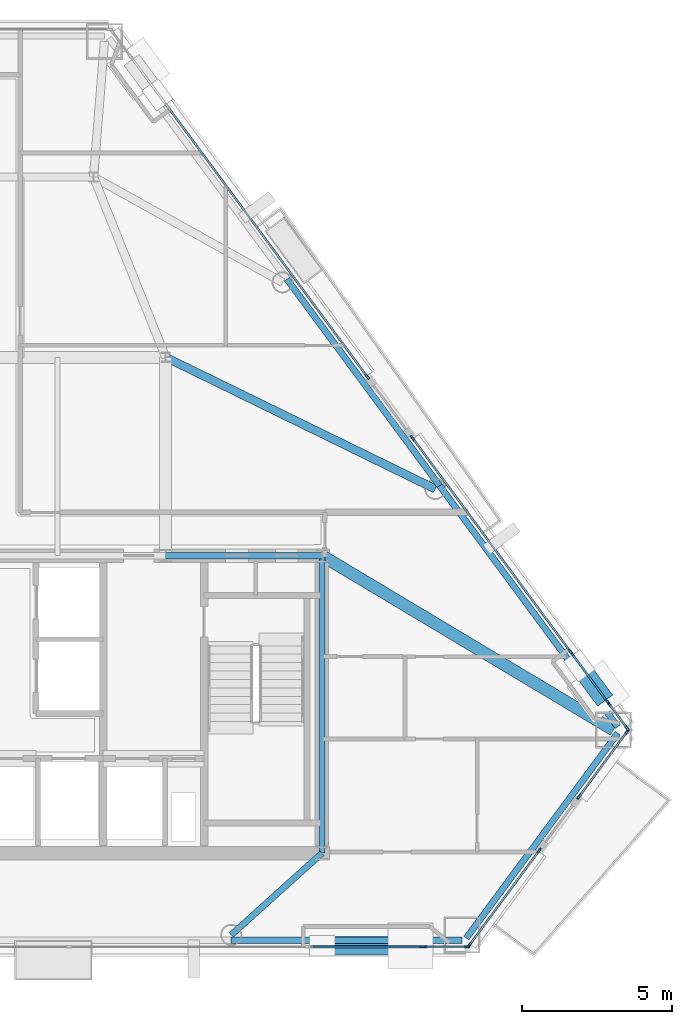
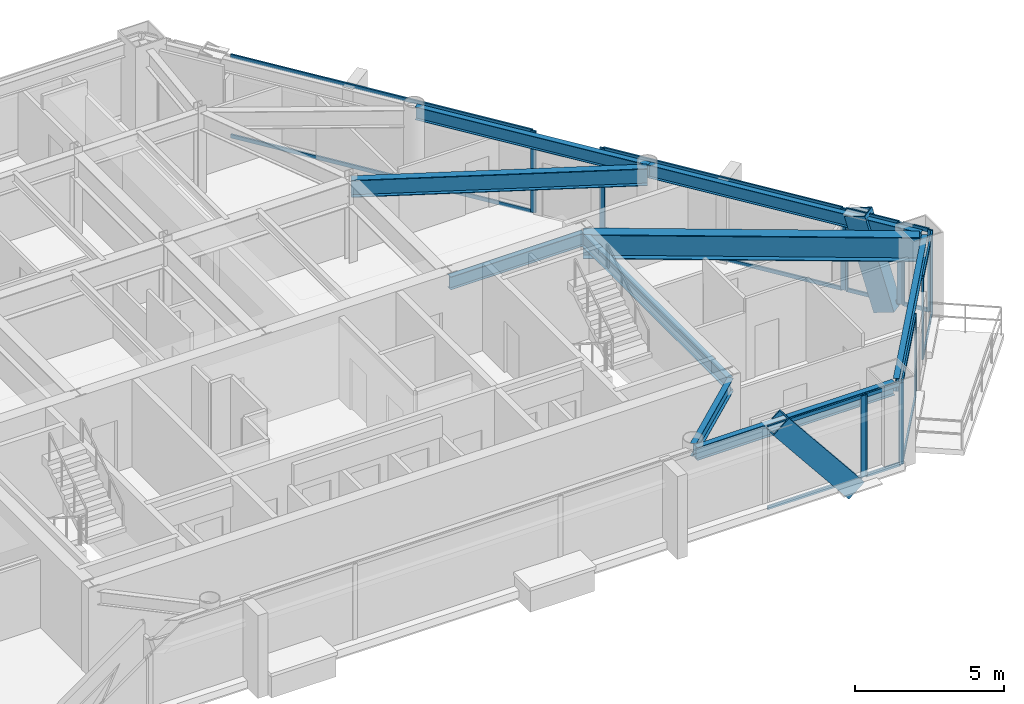
# One storey, part 6 of 13: 32 members, 9 beams, 8 elements without a shape of their own.
"""IFC4 building model written with IfcOpenShell, lengths in metres."""

from ifc_helpers import new_model, si_unit, direction, frame, origin, origin_2d, place, context, subcontext, project, spatial, rectangle, hollow_rectangle, i_section, extrude, material, layer, layer_set, material_profile, profile_set, type_object, element, aggregate, save


model = new_model("IFC4")

# Units and contexts
model_context = context("Model", 3, precision=1e-05, world=origin(), true_north=direction((0.0, 1.0)))
body_context = subcontext(model_context, "Body", "Model", "MODEL_VIEW")
ifc_project = project(units=[si_unit("LENGTHUNIT", "METRE"), si_unit("AREAUNIT", "SQUARE_METRE"), si_unit("VOLUMEUNIT", "CUBIC_METRE"), si_unit("PLANEANGLEUNIT", "RADIAN"), si_unit("MASSUNIT", "GRAM", prefix="KILO")], contexts=[model_context])

# Site, building, storey
site_placement = place(None, origin())
site = spatial("IfcSite", under=ifc_project, at=site_placement, CompositionType="ELEMENT")
building_placement = place(site_placement, origin())
building = spatial("IfcBuilding", under=site, at=building_placement, Name="Talgorran Terracotta Tower", CompositionType="ELEMENT")
storey_placement = place(building_placement, frame((0.0, 0.0, 132.89990234375)))
storey = spatial("IfcBuildingStorey", under=building, at=storey_placement, Name="L34", CompositionType="ELEMENT", Elevation=132.89990234375)

# Beams
ifc_material_1 = material(Name="Steel Grade 350 (350L0)", Category="steel")
ifc_material_profile_1 = material_profile(ifc_material_1, i_section(OverallWidth=0.39990234375, OverallDepth=1.0, WebThickness=0.01611328125, FlangeThickness=0.031005859375, at=origin_2d()), Name="1000WB296")
ifc_profile_set_1 = profile_set([ifc_material_profile_1], Name="Steel Grade 350 (350L0)")
beam_type_1 = type_object("IfcBeamType", Name="BM_1000WB296", PredefinedType="BEAM", material=ifc_profile_set_1)
beam_1_placement = place(storey_placement, frame((12.39990234375, -4.199951171875, 2.85009765625), z_axis=(0.858174722871, -0.513357716436, 0.0), x_axis=(0.513357716436, 0.858174722871, 0.0)))
element("IfcBeam", 1, at=beam_1_placement, inside=storey, type_object=beam_type_1, Name="L34 Floor Girder G18", PredefinedType="BEAM", context=body_context, shape_type="SweptSolid", body=[
    extrude(i_section(OverallWidth=0.39990234375, OverallDepth=1.0, WebThickness=0.01611328125, FlangeThickness=0.031005859375, at=origin_2d()), origin(), (0.0, 0.0, 1.0), 11.298828125),
])
ifc_material_2 = material(Name="Steel S355 (300PLUS)", Category="steel")
ifc_material_profile_2 = material_profile(ifc_material_2, i_section(OverallWidth=0.27490234375, OverallDepth=0.7080078125, WebThickness=0.011962890625, FlangeThickness=0.02490234375, at=origin_2d()), Name="700WB173")
ifc_profile_set_2 = profile_set([ifc_material_profile_2], Name="Steel S355 (300PLUS)")
beam_type_2 = type_object("IfcBeamType", Name="BM_700WB173", PredefinedType="BEAM", material=ifc_profile_set_2)
beam_2_placement = place(storey_placement, frame((7.199951171875, 2.39990234375, 2.99609375), z_axis=(0.898565721625, -0.438838972655, 0.0), x_axis=(0.438838972655, 0.898565721625, 0.0)))
element("IfcBeam", 2, at=beam_2_placement, inside=storey, type_object=beam_type_2, Name="L34 Floor Girder G07", PredefinedType="BEAM", context=body_context, shape_type="SweptSolid", body=[
    extrude(i_section(OverallWidth=0.27490234375, OverallDepth=0.7080078125, WebThickness=0.011962890625, FlangeThickness=0.02490234375, at=origin_2d()), origin(), (0.0, 0.0, 1.0), 9.981689453125),
])
ifc_material_profile_3 = material_profile(ifc_material_2, i_section(OverallWidth=0.209228515625, OverallDepth=0.532958984375, WebThickness=0.01025390625, FlangeThickness=0.015625, at=origin_2d()), Name="530UB92.4")
ifc_profile_set_3 = profile_set([ifc_material_profile_3], Name="Steel S355 (300PLUS)")
beam_type_3 = type_object("IfcBeamType", Name="BM_SP_530UB92", PredefinedType="SPANDREL", material=ifc_profile_set_3)
beam_3_placement = place(storey_placement, frame((9.381103515625, -16.998779296875, 3.08349609375), z_axis=(1.0, 0.0, 0.0), x_axis=(0.0, 1.0, 0.0)))
element("IfcBeam", 3, at=beam_3_placement, inside=storey, type_object=beam_type_3, Name="L34 Perimeter Spandrel Beam FC2-MC3", PredefinedType="SPANDREL", context=body_context, shape_type="SweptSolid", body=[
    extrude(i_section(OverallWidth=0.209228515625, OverallDepth=0.532958984375, WebThickness=0.01025390625, FlangeThickness=0.015625, at=origin_2d()), origin(), (0.0, 0.0, 1.0), 7.67578125),
])
beam_4_placement = place(storey_placement, frame((17.20166015625, -16.92578125, 3.08349609375), z_axis=(0.594369201234, 0.804192298288, 0.0), x_axis=(-0.804192298288, 0.594369201234, 0.0)))
element("IfcBeam", 4, at=beam_4_placement, inside=storey, type_object=beam_type_3, Name="L34 Perimeter Spandrel Beam MC3-MC4", PredefinedType="SPANDREL", context=body_context, shape_type="SweptSolid", body=[
    extrude(i_section(OverallWidth=0.209228515625, OverallDepth=0.532958984375, WebThickness=0.01025390625, FlangeThickness=0.015625, at=origin_2d()), origin(), (0.0, 0.0, 1.0), 8.478759765625),
])
beam_5_placement = place(storey_placement, frame((22.2412109375, -9.893310546875, 3.08349609375), z_axis=(-0.594352513119, 0.804204632011, 0.0), x_axis=(-0.804204632011, -0.594352513119, 0.0)))
element("IfcBeam", 5, at=beam_5_placement, inside=storey, type_object=beam_type_3, Name="L34 Perimeter Spandrel Beam MC4-FC3", PredefinedType="SPANDREL", context=body_context, shape_type="SweptSolid", body=[
    extrude(i_section(OverallWidth=0.209228515625, OverallDepth=0.532958984375, WebThickness=0.01025390625, FlangeThickness=0.015625, at=origin_2d()), origin(), (0.0, 0.0, 1.0), 9.97265625),
])
beam_6_placement = place(storey_placement, frame((16.31396484375, -1.873291015625, 3.08349609375), z_axis=(-0.594373393058, 0.804189200142, 0.0), x_axis=(-0.804189200142, -0.594373393058, 0.0)))
element("IfcBeam", 6, at=beam_6_placement, inside=storey, type_object=beam_type_3, Name="L34 Perimeter Spandrel Beam FC3-FC4", PredefinedType="SPANDREL", context=body_context, shape_type="SweptSolid", body=[
    extrude(i_section(OverallWidth=0.209228515625, OverallDepth=0.532958984375, WebThickness=0.01025390625, FlangeThickness=0.015625, at=origin_2d()), origin(), (0.0, 0.0, 1.0), 8.5478515625),
])
beam_7_placement = place(storey_placement, frame((12.39990234375, -14.10009765625, 3.08349609375), z_axis=(-0.74306999476, -0.669213704945, 0.0), x_axis=(0.669213704945, -0.74306999476, 0.0)))
element("IfcBeam", 7, at=beam_7_placement, inside=storey, type_object=beam_type_3, Name="L34 South-East Core Tie Beam", PredefinedType="SPANDREL", context=body_context, shape_type="SweptSolid", body=[
    extrude(i_section(OverallWidth=0.209228515625, OverallDepth=0.532958984375, WebThickness=0.01025390625, FlangeThickness=0.015625, at=origin_2d()), origin(), (0.0, 0.0, 1.0), 4.0625),
])
beam_8_placement = place(storey_placement, frame((12.39990234375, -14.10009765625, 3.08349609375), z_axis=(0.0, 1.0, 0.0), x_axis=(-1.0, 0.0, 0.0)))
element("IfcBeam", 8, at=beam_8_placement, inside=storey, type_object=beam_type_3, Name="L34 Core Frame Beam CFE", PredefinedType="SPANDREL", context=body_context, shape_type="SweptSolid", body=[
    extrude(i_section(OverallWidth=0.209228515625, OverallDepth=0.532958984375, WebThickness=0.01025390625, FlangeThickness=0.015625, at=origin_2d()), origin(), (0.0, 0.0, 1.0), 9.900146484375),
])
beam_9_placement = place(storey_placement, frame((7.199951171875, -4.199951171875, 3.08349609375), z_axis=(1.0, 0.0, 0.0), x_axis=(0.0, 1.0, 0.0)))
element("IfcBeam", 9, at=beam_9_placement, inside=storey, type_object=beam_type_3, Name="L34 Core Frame Beam CFN4", PredefinedType="SPANDREL", context=body_context, shape_type="SweptSolid", body=[
    extrude(i_section(OverallWidth=0.209228515625, OverallDepth=0.532958984375, WebThickness=0.01025390625, FlangeThickness=0.015625, at=origin_2d()), origin(), (0.0, 0.0, 1.0), 5.199951171875),
])

# Members
ifc_material_profile_4 = material_profile(ifc_material_1, hollow_rectangle(XDim=0.6201171875, YDim=0.780029296875, WallThickness=0.0419921875, at=origin_2d()), Name="WBOX780X620X42")
ifc_profile_set_4 = profile_set([ifc_material_profile_4], Name="Steel Grade 350 (350L0)")
member_type_1 = type_object("IfcMemberType", Name="MB_MEGA_780", PredefinedType="BRACE", material=ifc_profile_set_4)
member_1_placement = place(storey_placement, frame((15.34228515625, -17.178955078125, -0.27001953125), z_axis=(-0.626602917494, 0.0, 0.779338683621), x_axis=(0.0, -1.0, 0.0)))
element("IfcMember", 10, at=member_1_placement, inside=storey, type_object=member_type_1, Name="L34 Exterior Face Mega-Brace MB-2 (SEF)", PredefinedType="BRACE", context=body_context, shape_type="SweptSolid", body=[
    extrude(hollow_rectangle(XDim=0.6201171875, YDim=0.780029296875, WallThickness=0.0419921875, at=origin_2d()), origin(), (0.0, 0.0, 1.0), 4.677001953125),
])
member_2_placement = place(storey_placement, frame((21.597900390625, -8.72021484375, -0.27001953125), z_axis=(-0.167533039837, 0.226719050459, 0.959443147207), x_axis=(-0.804247199426, -0.594294911821, 0.0)))
element("IfcMember", 11, at=member_2_placement, inside=storey, type_object=member_type_1, Name="L34 Exterior Face Mega-Brace MB-2 (NEL)", PredefinedType="BRACE", context=body_context, shape_type="SweptSolid", body=[
    extrude(hollow_rectangle(XDim=0.6201171875, YDim=0.780029296875, WallThickness=0.0419921875, at=origin_2d()), origin(), (0.0, 0.0, 1.0), 3.799072265625),
])

# Curtain wall, member
ifc_material_3 = material(Name="Unitised Low-E Double Glazing", Category="glass")
ifc_layer = layer(ifc_material_3, 0.199951171875, Name="CW_SYS2_RES_LOW")
ifc_layer_set = layer_set([ifc_layer], Name="Unitised Low-E Double Glazing")
curtain_wall_type = type_object("IfcCurtainWallType", Name="CW_SYS2_RES_LOW", PredefinedType="NOTDEFINED", material=ifc_layer_set)
curtain_wall_1_placement = place(storey_placement, origin())
curtain_wall_1 = element("IfcCurtainWall", 12, at=curtain_wall_1_placement, inside=storey, type_object=curtain_wall_type, Name="CW-L34-F1D", PredefinedType="NOTDEFINED")
ifc_material_4 = material(Name="Architectural Aluminium 6063-T6", Category="aluminium")
ifc_material_profile_5 = material_profile(ifc_material_4, rectangle(XDim=0.06494140625, YDim=0.18505859375, at=origin_2d()), Name="CWM65X185")
ifc_profile_set_5 = profile_set([ifc_material_profile_5], Name="Architectural Aluminium 6063-T6")
member_type_2 = type_object("IfcMemberType", Name="MUL_65X185", PredefinedType="MULLION", material=ifc_profile_set_5)
member_3_placement = place(storey_placement, frame((15.738037109375, -17.218994140625, 0.0), z_axis=(0.0, 0.0, 1.0), x_axis=(0.0, 1.0, 0.0)))
member_3 = element("IfcMember", 13, at=member_3_placement, type_object=member_type_2, Name="CW-L34-1D mullion 2", PredefinedType="MULLION", context=body_context, shape_type="SweptSolid", body=[
    extrude(rectangle(XDim=0.06494140625, YDim=0.18505859375, at=origin_2d()), origin(), (0.0, 0.0, 1.0), 3.35009765625),
])

# Curtain wall, members
curtain_wall_2_placement = place(storey_placement, origin())
curtain_wall_2 = element("IfcCurtainWall", 14, at=curtain_wall_2_placement, inside=storey, type_object=curtain_wall_type, Name="CW-L34-F1E", PredefinedType="NOTDEFINED")
member_4_placement = place(storey_placement, frame((15.81298828125, -17.218994140625, 0.0), z_axis=(0.0, 0.0, 1.0), x_axis=(0.0, 1.0, 0.0)))
member_4 = element("IfcMember", 15, at=member_4_placement, type_object=member_type_2, Name="CW-L34-1E mullion 1", PredefinedType="MULLION", context=body_context, shape_type="SweptSolid", body=[
    extrude(rectangle(XDim=0.06494140625, YDim=0.18505859375, at=origin_2d()), origin(), (0.0, 0.0, 1.0), 3.35009765625),
])
member_5_placement = place(storey_placement, frame((17.22607421875, -17.218994140625, 0.0), z_axis=(0.0, 0.0, 1.0), x_axis=(0.0, 1.0, 0.0)))
member_5 = element("IfcMember", 16, at=member_5_placement, type_object=member_type_2, Name="CW-L34-1E mullion 2", PredefinedType="MULLION", context=body_context, shape_type="SweptSolid", body=[
    extrude(rectangle(XDim=0.06494140625, YDim=0.18505859375, at=origin_2d()), origin(), (0.0, 0.0, 1.0), 3.35009765625),
])

curtain_wall_3_placement = place(storey_placement, origin())
curtain_wall_3 = element("IfcCurtainWall", 17, at=curtain_wall_3_placement, inside=storey, type_object=curtain_wall_type, Name="CW-L34-F30", PredefinedType="NOTDEFINED")
member_6_placement = place(storey_placement, frame((17.3017578125, -17.16064453125, 0.0), z_axis=(0.0, 0.0, 1.0), x_axis=(-0.804205389706, 0.594351487898, 0.0)))
member_6 = element("IfcMember", 18, at=member_6_placement, type_object=member_type_2, Name="CW-L34-30 mullion 1", PredefinedType="MULLION", context=body_context, shape_type="SweptSolid", body=[
    extrude(rectangle(XDim=0.06494140625, YDim=0.18505859375, at=origin_2d()), origin(), (0.0, 0.0, 1.0), 3.35009765625),
])
member_7_placement = place(storey_placement, frame((19.6279296875, -14.012939453125, 0.0), z_axis=(0.0, 0.0, 1.0), x_axis=(-0.804205389706, 0.594351487898, 0.0)))
member_7 = element("IfcMember", 19, at=member_7_placement, type_object=member_type_2, Name="CW-L34-30 mullion 2", PredefinedType="MULLION", context=body_context, shape_type="SweptSolid", body=[
    extrude(rectangle(XDim=0.06494140625, YDim=0.18505859375, at=origin_2d()), origin(), (0.0, 0.0, 1.0), 3.35009765625),
])

curtain_wall_4_placement = place(storey_placement, origin())
curtain_wall_4 = element("IfcCurtainWall", 20, at=curtain_wall_4_placement, inside=storey, type_object=curtain_wall_type, Name="CW-L34-F31", PredefinedType="NOTDEFINED")
member_8_placement = place(storey_placement, frame((20.950439453125, -12.2236328125, 0.0), z_axis=(0.0, 0.0, 1.0), x_axis=(-0.804188955086, 0.59437372462, 0.0)))
member_8 = element("IfcMember", 21, at=member_8_placement, type_object=member_type_2, Name="CW-L34-31 mullion 1", PredefinedType="MULLION", context=body_context, shape_type="SweptSolid", body=[
    extrude(rectangle(XDim=0.06494140625, YDim=0.18505859375, at=origin_2d()), origin(), (0.0, 0.0, 1.0), 3.35009765625),
])
member_9_placement = place(storey_placement, frame((22.550537109375, -10.05859375, 0.0), z_axis=(0.0, 0.0, 1.0), x_axis=(-0.804188955086, 0.59437372462, 0.0)))
member_9 = element("IfcMember", 22, at=member_9_placement, type_object=member_type_2, Name="CW-L34-31 mullion 2", PredefinedType="MULLION", context=body_context, shape_type="SweptSolid", body=[
    extrude(rectangle(XDim=0.06494140625, YDim=0.18505859375, at=origin_2d()), origin(), (0.0, 0.0, 1.0), 3.35009765625),
])

curtain_wall_5_placement = place(storey_placement, origin())
curtain_wall_5 = element("IfcCurtainWall", 23, at=curtain_wall_5_placement, inside=storey, type_object=curtain_wall_type, Name="CW-L34-F40", PredefinedType="NOTDEFINED")
member_10_placement = place(storey_placement, frame((22.550537109375, -9.94189453125, 0.0), z_axis=(0.0, 0.0, 1.0), x_axis=(-0.804183704636, -0.594380828424, 0.0)))
member_10 = element("IfcMember", 24, at=member_10_placement, type_object=member_type_2, Name="CW-L34-40 mullion 1", PredefinedType="MULLION", context=body_context, shape_type="SweptSolid", body=[
    extrude(rectangle(XDim=0.06494140625, YDim=0.18505859375, at=origin_2d()), origin(), (0.0, 0.0, 1.0), 3.35009765625),
])
member_11_placement = place(storey_placement, frame((21.93603515625, -9.1103515625, 0.0), z_axis=(0.0, 0.0, 1.0), x_axis=(-0.804183704636, -0.594380828424, 0.0)))
member_11 = element("IfcMember", 25, at=member_11_placement, type_object=member_type_2, Name="CW-L34-40 mullion 2", PredefinedType="MULLION", context=body_context, shape_type="SweptSolid", body=[
    extrude(rectangle(XDim=0.06494140625, YDim=0.18505859375, at=origin_2d()), origin(), (0.0, 0.0, 1.0), 3.35009765625),
])

curtain_wall_6_placement = place(storey_placement, origin())
curtain_wall_6 = element("IfcCurtainWall", 26, at=curtain_wall_6_placement, inside=storey, type_object=curtain_wall_type, Name="CW-L34-F40B", PredefinedType="NOTDEFINED")
member_12_placement = place(storey_placement, frame((21.891357421875, -9.050048828125, 0.0), z_axis=(0.0, 0.0, 1.0), x_axis=(-0.804210403397, -0.594344703912, 0.0)))
member_12 = element("IfcMember", 27, at=member_12_placement, type_object=member_type_2, Name="CW-L34-40B mullion 1", PredefinedType="MULLION", context=body_context, shape_type="SweptSolid", body=[
    extrude(rectangle(XDim=0.06494140625, YDim=0.18505859375, at=origin_2d()), origin(), (0.0, 0.0, 1.0), 3.35009765625),
])
member_13_placement = place(storey_placement, frame((20.704345703125, -7.44384765625, 0.0), z_axis=(0.0, 0.0, 1.0), x_axis=(-0.804210403397, -0.594344703912, 0.0)))
member_13 = element("IfcMember", 28, at=member_13_placement, type_object=member_type_2, Name="CW-L34-40B mullion 2", PredefinedType="MULLION", context=body_context, shape_type="SweptSolid", body=[
    extrude(rectangle(XDim=0.06494140625, YDim=0.18505859375, at=origin_2d()), origin(), (0.0, 0.0, 1.0), 3.35009765625),
])

curtain_wall_7_placement = place(storey_placement, origin())
curtain_wall_7 = element("IfcCurtainWall", 29, at=curtain_wall_7_placement, inside=storey, type_object=curtain_wall_type, Name="CW-L34-F40C", PredefinedType="NOTDEFINED")
member_14_placement = place(storey_placement, frame((20.65966796875, -7.383544921875, 0.0), z_axis=(0.0, 0.0, 1.0), x_axis=(-0.804202532119, -0.594355354425, 0.0)))
member_14 = element("IfcMember", 30, at=member_14_placement, type_object=member_type_2, Name="CW-L34-40C mullion 1", PredefinedType="MULLION", context=body_context, shape_type="SweptSolid", body=[
    extrude(rectangle(XDim=0.06494140625, YDim=0.18505859375, at=origin_2d()), origin(), (0.0, 0.0, 1.0), 3.35009765625),
])
member_15_placement = place(storey_placement, frame((15.40966796875, -0.279541015625, 0.0), z_axis=(0.0, 0.0, 1.0), x_axis=(-0.804202532119, -0.594355354425, 0.0)))
member_15 = element("IfcMember", 31, at=member_15_placement, type_object=member_type_2, Name="CW-L34-40C mullion 2", PredefinedType="MULLION", context=body_context, shape_type="SweptSolid", body=[
    extrude(rectangle(XDim=0.06494140625, YDim=0.18505859375, at=origin_2d()), origin(), (0.0, 0.0, 1.0), 3.35009765625),
])

# Curtain wall, member
curtain_wall_8_placement = place(storey_placement, origin())
curtain_wall_8 = element("IfcCurtainWall", 32, at=curtain_wall_8_placement, inside=storey, type_object=curtain_wall_type, Name="CW-L34-F41", PredefinedType="NOTDEFINED")
member_16_placement = place(storey_placement, frame((13.90869140625, 1.7509765625, 0.0), z_axis=(0.0, 0.0, 1.0), x_axis=(-0.804201194729, -0.594357163999, 0.0)))
member_16 = element("IfcMember", 33, at=member_16_placement, type_object=member_type_2, Name="CW-L34-41 mullion 1", PredefinedType="MULLION", context=body_context, shape_type="SweptSolid", body=[
    extrude(rectangle(XDim=0.06494140625, YDim=0.18505859375, at=origin_2d()), origin(), (0.0, 0.0, 1.0), 3.35009765625),
])

# Member
ifc_material_profile_6 = material_profile(ifc_material_4, rectangle(XDim=0.06494140625, YDim=0.14990234375, at=origin_2d()), Name="CWT65X150")
ifc_profile_set_6 = profile_set([ifc_material_profile_6], Name="Architectural Aluminium 6063-T6")
member_type_3 = type_object("IfcMemberType", Name="TRN_65X150", PredefinedType="USERDEFINED", material=ifc_profile_set_6)
member_17_placement = place(storey_placement, frame((12.027587890625, -17.218994140625, 0.03271484375), z_axis=(1.0, 0.0, 0.0), x_axis=(0.0, 1.0, 0.0)))
member_17 = element("IfcMember", 34, at=member_17_placement, type_object=member_type_3, Name="CW-L34-1D transom 1.1", ObjectType="TRANSOM", PredefinedType="USERDEFINED", context=body_context, shape_type="SweptSolid", body=[
    extrude(rectangle(XDim=0.06494140625, YDim=0.14990234375, at=origin_2d()), origin(), (0.0, 0.0, 1.0), 3.677978515625),
])

member_18_placement = place(storey_placement, frame((12.027587890625, -17.218994140625, 3.317626953125), z_axis=(1.0, 0.0, 0.0), x_axis=(0.0, 1.0, 0.0)))
member_18 = element("IfcMember", 35, at=member_18_placement, type_object=member_type_3, Name="CW-L34-1D transom 1.2", ObjectType="TRANSOM", PredefinedType="USERDEFINED", context=body_context, shape_type="SweptSolid", body=[
    extrude(rectangle(XDim=0.06494140625, YDim=0.14990234375, at=origin_2d()), origin(), (0.0, 0.0, 1.0), 3.677978515625),
])

aggregate(curtain_wall_1, [member_3, member_17, member_18])

member_19_placement = place(storey_placement, frame((15.845458984375, -17.218994140625, 0.03271484375), z_axis=(1.0, 0.0, 0.0), x_axis=(0.0, 1.0, 0.0)))
member_19 = element("IfcMember", 36, at=member_19_placement, type_object=member_type_3, Name="CW-L34-1E transom 1.1", ObjectType="TRANSOM", PredefinedType="USERDEFINED", context=body_context, shape_type="SweptSolid", body=[
    extrude(rectangle(XDim=0.06494140625, YDim=0.14990234375, at=origin_2d()), origin(), (0.0, 0.0, 1.0), 1.34814453125),
])

member_20_placement = place(storey_placement, frame((15.845458984375, -17.218994140625, 3.317626953125), z_axis=(1.0, 0.0, 0.0), x_axis=(0.0, 1.0, 0.0)))
member_20 = element("IfcMember", 37, at=member_20_placement, type_object=member_type_3, Name="CW-L34-1E transom 1.2", ObjectType="TRANSOM", PredefinedType="USERDEFINED", context=body_context, shape_type="SweptSolid", body=[
    extrude(rectangle(XDim=0.06494140625, YDim=0.14990234375, at=origin_2d()), origin(), (0.0, 0.0, 1.0), 1.34814453125),
])

aggregate(curtain_wall_2, [member_4, member_5, member_19, member_20])

member_21_placement = place(storey_placement, frame((17.321044921875, -17.134521484375, 0.03271484375), z_axis=(0.594332205199, 0.804219640312, 0.0), x_axis=(-0.804219640312, 0.594332205199, 0.0)))
member_21 = element("IfcMember", 38, at=member_21_placement, type_object=member_type_3, Name="CW-L34-30 transom 1.1", ObjectType="TRANSOM", PredefinedType="USERDEFINED", context=body_context, shape_type="SweptSolid", body=[
    extrude(rectangle(XDim=0.06494140625, YDim=0.14990234375, at=origin_2d()), origin(), (0.0, 0.0, 1.0), 3.84912109375),
])

member_22_placement = place(storey_placement, frame((17.321044921875, -17.134521484375, 3.317626953125), z_axis=(0.594332205199, 0.804219640312, 0.0), x_axis=(-0.804219640312, 0.594332205199, 0.0)))
member_22 = element("IfcMember", 39, at=member_22_placement, type_object=member_type_3, Name="CW-L34-30 transom 1.2", ObjectType="TRANSOM", PredefinedType="USERDEFINED", context=body_context, shape_type="SweptSolid", body=[
    extrude(rectangle(XDim=0.06494140625, YDim=0.14990234375, at=origin_2d()), origin(), (0.0, 0.0, 1.0), 3.84912109375),
])

aggregate(curtain_wall_3, [member_6, member_7, member_21, member_22])

member_23_placement = place(storey_placement, frame((20.9697265625, -12.197509765625, 0.03271484375), z_axis=(0.594364931983, 0.804195453624, 0.0), x_axis=(-0.804195453624, 0.594364931983, 0.0)))
member_23 = element("IfcMember", 40, at=member_23_placement, type_object=member_type_3, Name="CW-L34-31 transom 1.1", ObjectType="TRANSOM", PredefinedType="USERDEFINED", context=body_context, shape_type="SweptSolid", body=[
    extrude(rectangle(XDim=0.06494140625, YDim=0.14990234375, at=origin_2d()), origin(), (0.0, 0.0, 1.0), 2.627197265625),
])

member_24_placement = place(storey_placement, frame((20.9697265625, -12.197509765625, 3.317626953125), z_axis=(0.594364931983, 0.804195453624, 0.0), x_axis=(-0.804195453624, 0.594364931983, 0.0)))
member_24 = element("IfcMember", 41, at=member_24_placement, type_object=member_type_3, Name="CW-L34-31 transom 1.2", ObjectType="TRANSOM", PredefinedType="USERDEFINED", context=body_context, shape_type="SweptSolid", body=[
    extrude(rectangle(XDim=0.06494140625, YDim=0.14990234375, at=origin_2d()), origin(), (0.0, 0.0, 1.0), 2.627197265625),
])

aggregate(curtain_wall_4, [member_8, member_9, member_23, member_24])

member_25_placement = place(storey_placement, frame((22.53125, -9.915771484375, 0.03271484375), z_axis=(-0.594341471489, 0.804212792281, 0.0), x_axis=(-0.804212792281, -0.594341471489, 0.0)))
member_25 = element("IfcMember", 42, at=member_25_placement, type_object=member_type_3, Name="CW-L34-40 transom 1.1", ObjectType="TRANSOM", PredefinedType="USERDEFINED", context=body_context, shape_type="SweptSolid", body=[
    extrude(rectangle(XDim=0.06494140625, YDim=0.14990234375, at=origin_2d()), origin(), (0.0, 0.0, 1.0), 0.968994140625),
])

member_26_placement = place(storey_placement, frame((22.53125, -9.915771484375, 3.317626953125), z_axis=(-0.594341471489, 0.804212792281, 0.0), x_axis=(-0.804212792281, -0.594341471489, 0.0)))
member_26 = element("IfcMember", 43, at=member_26_placement, type_object=member_type_3, Name="CW-L34-40 transom 1.2", ObjectType="TRANSOM", PredefinedType="USERDEFINED", context=body_context, shape_type="SweptSolid", body=[
    extrude(rectangle(XDim=0.06494140625, YDim=0.14990234375, at=origin_2d()), origin(), (0.0, 0.0, 1.0), 0.968994140625),
])

aggregate(curtain_wall_5, [member_10, member_11, member_25, member_26])

member_27_placement = place(storey_placement, frame((21.8720703125, -9.02392578125, 0.03271484375), z_axis=(-0.594344876364, 0.804210275948, 0.0), x_axis=(-0.804210275948, -0.594344876364, 0.0)))
member_27 = element("IfcMember", 44, at=member_27_placement, type_object=member_type_3, Name="CW-L34-40B transom 1.1", ObjectType="TRANSOM", PredefinedType="USERDEFINED", context=body_context, shape_type="SweptSolid", body=[
    extrude(rectangle(XDim=0.06494140625, YDim=0.14990234375, at=origin_2d()), origin(), (0.0, 0.0, 1.0), 1.932373046875),
])

member_28_placement = place(storey_placement, frame((21.8720703125, -9.02392578125, 3.317626953125), z_axis=(-0.594344876364, 0.804210275948, 0.0), x_axis=(-0.804210275948, -0.594344876364, 0.0)))
member_28 = element("IfcMember", 45, at=member_28_placement, type_object=member_type_3, Name="CW-L34-40B transom 1.2", ObjectType="TRANSOM", PredefinedType="USERDEFINED", context=body_context, shape_type="SweptSolid", body=[
    extrude(rectangle(XDim=0.06494140625, YDim=0.14990234375, at=origin_2d()), origin(), (0.0, 0.0, 1.0), 1.932373046875),
])

aggregate(curtain_wall_6, [member_12, member_13, member_27, member_28])

member_29_placement = place(storey_placement, frame((20.640380859375, -7.357421875, 0.03271484375), z_axis=(-0.594336258728, 0.804216644668, 0.0), x_axis=(-0.804216644668, -0.594336258728, 0.0)))
member_29 = element("IfcMember", 46, at=member_29_placement, type_object=member_type_3, Name="CW-L34-40C transom 1.1", ObjectType="TRANSOM", PredefinedType="USERDEFINED", context=body_context, shape_type="SweptSolid", body=[
    extrude(rectangle(XDim=0.06494140625, YDim=0.14990234375, at=origin_2d()), origin(), (0.0, 0.0, 1.0), 8.7685546875),
])

member_30_placement = place(storey_placement, frame((20.640380859375, -7.357421875, 3.317626953125), z_axis=(-0.594336258728, 0.804216644668, 0.0), x_axis=(-0.804216644668, -0.594336258728, 0.0)))
member_30 = element("IfcMember", 47, at=member_30_placement, type_object=member_type_3, Name="CW-L34-40C transom 1.2", ObjectType="TRANSOM", PredefinedType="USERDEFINED", context=body_context, shape_type="SweptSolid", body=[
    extrude(rectangle(XDim=0.06494140625, YDim=0.14990234375, at=origin_2d()), origin(), (0.0, 0.0, 1.0), 8.7685546875),
])

aggregate(curtain_wall_7, [member_14, member_15, member_29, member_30])

member_31_placement = place(storey_placement, frame((13.889404296875, 1.777099609375, 0.03271484375), z_axis=(-0.59434888608, 0.804207312585, 0.0), x_axis=(-0.804207312585, -0.59434888608, 0.0)))
member_31 = element("IfcMember", 48, at=member_31_placement, type_object=member_type_3, Name="CW-L34-41 transom 1.1", ObjectType="TRANSOM", PredefinedType="USERDEFINED", context=body_context, shape_type="SweptSolid", body=[
    extrude(rectangle(XDim=0.06494140625, YDim=0.14990234375, at=origin_2d()), origin(), (0.0, 0.0, 1.0), 11.068115234375),
])

member_32_placement = place(storey_placement, frame((13.889404296875, 1.777099609375, 3.317626953125), z_axis=(-0.59434888608, 0.804207312585, 0.0), x_axis=(-0.804207312585, -0.59434888608, 0.0)))
member_32 = element("IfcMember", 49, at=member_32_placement, type_object=member_type_3, Name="CW-L34-41 transom 1.2", ObjectType="TRANSOM", PredefinedType="USERDEFINED", context=body_context, shape_type="SweptSolid", body=[
    extrude(rectangle(XDim=0.06494140625, YDim=0.14990234375, at=origin_2d()), origin(), (0.0, 0.0, 1.0), 11.068115234375),
])

aggregate(curtain_wall_8, [member_16, member_31, member_32])

save(model, "model.ifc")
